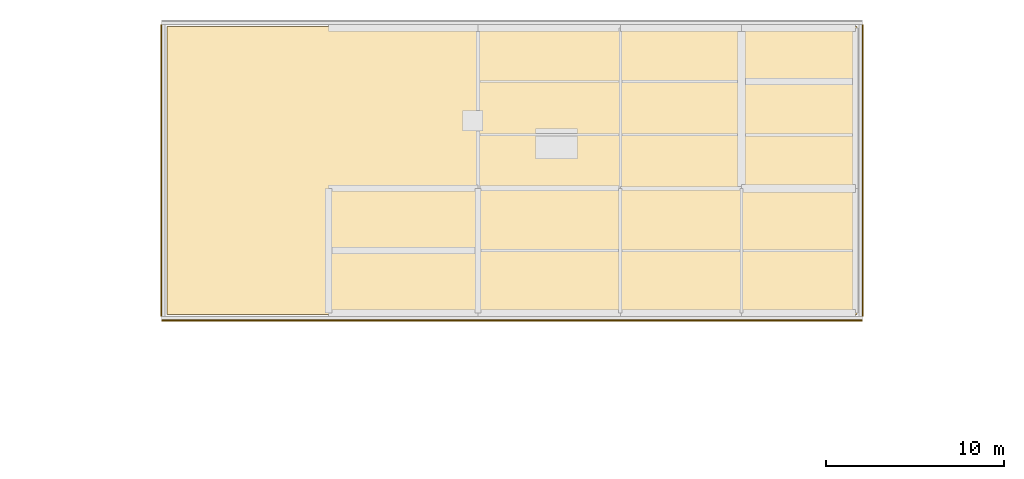
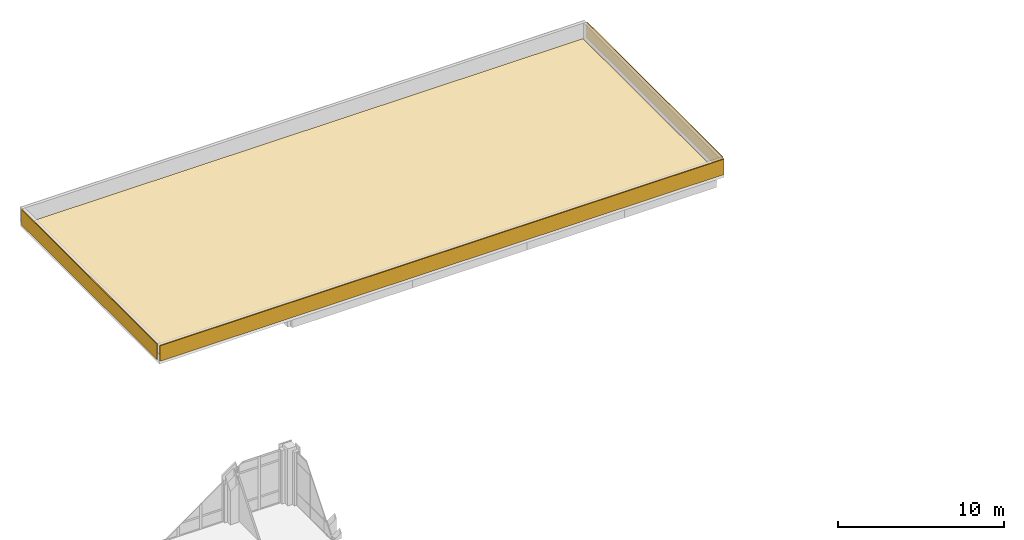
# One storey, part 43 of 48: 4 coverings.
"""IFC4 building model written with IfcOpenShell, lengths in metres."""

from ifc_helpers import new_model, si_unit, direction, frame, origin, origin_2d, place, context, subcontext, project, spatial, polyline, rectangle, outline, extrude, material, layer, layer_set, type_object, element, save


model = new_model("IFC4")

# Units and contexts
model_context = context("Model", 3, precision=1e-05, world=origin(), true_north=direction((0.0, 1.0)))
body_context = subcontext(model_context, "Body", "Model", "MODEL_VIEW")
ifc_project = project(units=[si_unit("LENGTHUNIT", "METRE"), si_unit("AREAUNIT", "SQUARE_METRE"), si_unit("VOLUMEUNIT", "CUBIC_METRE"), si_unit("PLANEANGLEUNIT", "RADIAN"), si_unit("MASSUNIT", "GRAM", prefix="KILO")], contexts=[model_context])

# Site, building, storey
site_placement = place(None, origin())
site = spatial("IfcSite", under=ifc_project, at=site_placement, CompositionType="ELEMENT")
building_placement = place(site_placement, origin())
building = spatial("IfcBuilding", under=site, at=building_placement, Name="Qalavern Law Courts", CompositionType="ELEMENT")
storey_placement = place(building_placement, frame((0.0, 0.0, 31.199951171875)))
storey = spatial("IfcBuildingStorey", under=building, at=storey_placement, Name="L07", CompositionType="ELEMENT", Elevation=31.199951171875)

# Coverings
ifc_material_1 = material(Name="Precast concrete C40/50", Category="concrete")
ifc_layer_1 = layer(ifc_material_1, 0.06005859375)
ifc_layer_set_1 = layer_set([ifc_layer_1], Name="Precast concrete C40/50")
covering_type_1 = type_object("IfcCoveringType", Name="ENV-CLD-1", PredefinedType="CLADDING", material=ifc_layer_set_1)
covering_1_placement = place(storey_placement, frame((38.7099609375, 96.173095703125, 0.0048828125), z_axis=(0.0, 0.0, 1.0), x_axis=(1.0, 0.0, 0.0)))
element("IfcCovering", 1, at=covering_1_placement, inside=storey, type_object=covering_type_1, Name="V5 Absheron limestone parapet coping L07 S", PredefinedType="CLADDING", context=body_context, shape_type="SweptSolid", body=[
    extrude(rectangle(XDim=39.360107421875, YDim=0.06005859375, at=origin_2d()), origin(), (0.0, 0.0, 1.0), 1.139892578125),
])
for number, where, z_axis, x_axis, name in (
    (2, (58.427001953125, 104.60009765625, 0.0048828125), (0.0, 0.0, 1.0), (0.0, 1.0, 0.0), "V5 Absheron limestone parapet coping L07 E"),
    (3, (18.992919921875, 104.60009765625, 0.0048828125), (0.0, 0.0, 1.0), (0.0, -1.0, 0.0), "V5 Absheron limestone parapet coping L07 W"),
):
    element("IfcCovering", number, at=place(storey_placement, frame(where, z_axis=z_axis, x_axis=x_axis)), inside=storey, type_object=covering_type_1, Name=name, PredefinedType="CLADDING", context=body_context, shape_type="SweptSolid", body=[
        extrude(rectangle(XDim=16.3701171875, YDim=0.06005859375, at=origin_2d()), origin(), (0.0, 0.0, 1.0), 1.139892578125),
    ])
ifc_material_2 = material(Name="EPDM waterproofing membrane and rigid thermal insulation")
ifc_layer_2 = layer(ifc_material_2, 0.090087890625)
ifc_layer_set_2 = layer_set([ifc_layer_2], Name="EPDM waterproofing membrane and rigid thermal insulation")
covering_type_2 = type_object("IfcCoveringType", Name="ENV-RFG-2", PredefinedType="ROOFING", material=ifc_layer_set_2)
covering_2_placement = place(storey_placement, origin())
element("IfcCovering", 4, at=covering_2_placement, inside=storey, type_object=covering_type_2, Name="V5 roof waterproofing and insulation L07", PredefinedType="ROOFING", context=body_context, shape_type="SweptSolid", body=[
    extrude(outline(polyline([(19.320068359375, 96.5), (58.10009765625, 96.5), (58.10009765625, 112.699951171875), (19.320068359375, 112.699951171875), (19.320068359375, 96.5)])), origin(), (0.0, 0.0, 1.0), 0.090087890625),
])

save(model, "model.ifc")
